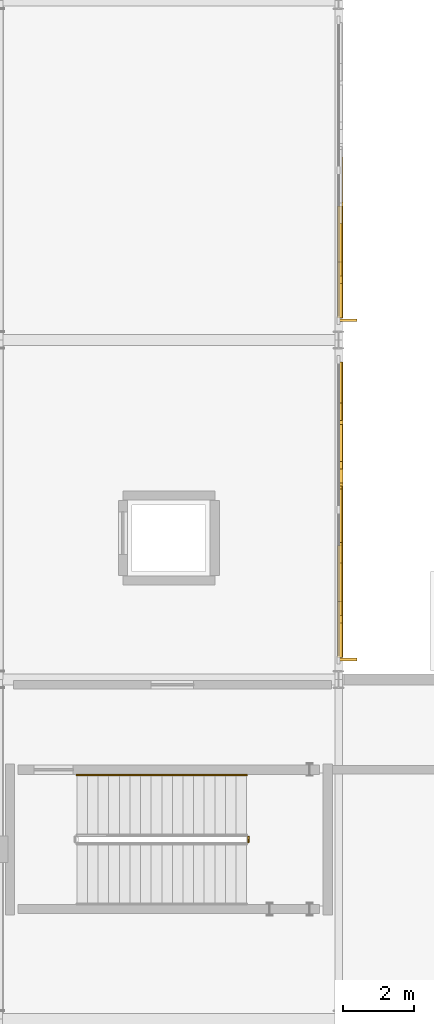
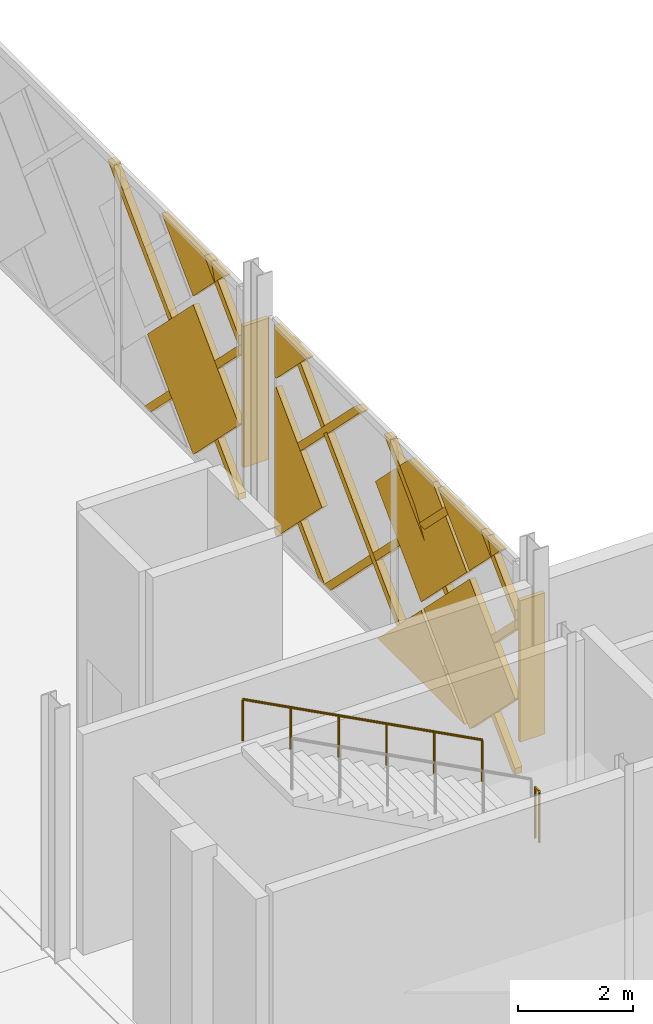
# One storey, part 70 of 84: 18 coverings, 2 railings, 2 shading devices.
"""IFC4 building model written with IfcOpenShell, lengths in metres."""

from ifc_helpers import new_model, si_unit, direction, frame, origin, origin_2d, place, context, subcontext, project, spatial, polyline, rectangle, circle, outline, extrude, material, layer, layer_set, type_object, element, save


model = new_model("IFC4")

# Units and contexts
model_context = context("Model", 3, precision=1e-05, world=origin(), true_north=direction((0.0, 1.0)))
body_context = subcontext(model_context, "Body", "Model", "MODEL_VIEW")
ifc_project = project(units=[si_unit("LENGTHUNIT", "METRE"), si_unit("AREAUNIT", "SQUARE_METRE"), si_unit("VOLUMEUNIT", "CUBIC_METRE"), si_unit("PLANEANGLEUNIT", "RADIAN"), si_unit("MASSUNIT", "GRAM", prefix="KILO")], contexts=[model_context])

# Site, building, storey
site_placement = place(None, origin())
site = spatial("IfcSite", under=ifc_project, at=site_placement, CompositionType="ELEMENT")
building_placement = place(site_placement, origin())
building = spatial("IfcBuilding", under=site, at=building_placement, Name="Zevrakil Square Congress Hotel", CompositionType="ELEMENT")
storey_placement = place(building_placement, origin())
storey = spatial("IfcBuildingStorey", under=building, at=storey_placement, Name="L01", CompositionType="ELEMENT", Elevation=0.0)

# Coverings
ifc_material_1 = material(Name="Architectural White Fibre-C GRC", Category="concrete")
ifc_layer_1 = layer(ifc_material_1, 0.06494140625)
ifc_layer_set_1 = layer_set([ifc_layer_1], Name="Architectural White Fibre-C GRC")
covering_type_1 = type_object("IfcCoveringType", Name="COV-DIA-WHITE", PredefinedType="CLADDING", material=ifc_layer_set_1)
covering_1_placement = place(storey_placement, frame((64.89404296875, 49.47998046875, 1.590087890625), z_axis=(0.999999790873, 0.0, 0.000646725815), x_axis=(0.000457304257, 0.707106707249, -0.707106707249)))
element("IfcCovering", 1, at=covering_1_placement, inside=storey, type_object=covering_type_1, Name="L01 45-degree white GRC diamond facade cassette 1701", PredefinedType="CLADDING", context=body_context, shape_type="SweptSolid", body=[
    extrude(outline(polyline([(0.0, 0.0), (2.1354765131557993, 0.0), (4.465861884739297e-07, -2.1354765131557527), (0.0, 0.0)])), origin(), (0.0, 0.0, -1.0), 0.1201171875),
])
covering_2_placement = place(storey_placement, frame((64.89306640625, 47.800048828125, 3.27001953125), z_axis=(0.999999812555, 0.0, 0.000612281941), x_axis=(0.000432981992, 0.707052423992, -0.70716100165)))
element("IfcCovering", 2, at=covering_2_placement, inside=storey, type_object=covering_type_1, Name="L01 45-degree white GRC diamond facade cassette 1702", PredefinedType="CLADDING", context=body_context, shape_type="SweptSolid", body=[
    extrude(outline(polyline([(0.0, 0.0), (2.248551445484795, 2.220446049250313e-16), (2.2487244898296543, -2.2483787987232713), (0.014329015787474475, -2.248722976182532), (0.0001719840161686914, -2.2345681207382944), (0.0, 0.0)])), origin(), (0.0, 0.0, -1.0), 0.1201171875),
])
covering_3_placement = place(storey_placement, frame((64.89501953125, 54.52001953125, 0.090087890625), z_axis=(0.999999810877, 4.3898e-08, 0.000615017515), x_axis=(-0.000434818663, -0.707161000838, 0.707052423677)))
element("IfcCovering", 3, at=covering_3_placement, inside=storey, type_object=covering_type_1, Name="L01 45-degree white GRC diamond facade cassette 1703", PredefinedType="CLADDING", context=body_context, shape_type="SweptSolid", body=[
    extrude(outline(polyline([(0.0, 0.0), (2.2485514454864757, 0.0), (2.248379222885326, -2.2487240657395344), (2.1634435533466254, -2.2487175608112517), (-0.0001791412122214009, -0.08476302283911175), (0.0, 0.0)])), origin(), (0.0, 0.0, -1.0), 0.1201171875),
])
covering_4_placement = place(storey_placement, frame((64.89306640625, 51.070068359375, 3.360107421875), z_axis=(0.999999855952, 0.0, 0.000536746209), x_axis=(0.000379536904, -0.707106744705, -0.707106715811)))
element("IfcCovering", 4, at=covering_4_placement, inside=storey, type_object=covering_type_1, Name="L01 45-degree white GRC diamond facade cassette 1704", PredefinedType="CLADDING", context=body_context, shape_type="SweptSolid", body=[
    extrude(outline(polyline([(0.0, 0.0), (2.248723976305845, -2.220446049250313e-16), (2.2487237442683643, -2.248723976305833), (0.5729702849818485, -2.2485514136558216), (0.00017238973523170387, -1.675753459304313), (0.0, 0.0)])), origin(), (0.0, 0.0, -1.0), 0.1201171875),
])
covering_5_placement = place(storey_placement, frame((64.892822265625, 47.800048828125, 3.449951171875), z_axis=(0.999999900573, 0.0, 0.000445930836), x_axis=(-0.000315320734, -0.707106746034, 0.707106746034)))
element("IfcCovering", 5, at=covering_5_placement, inside=storey, type_object=covering_type_1, Name="L01 45-degree white GRC diamond facade cassette 1705", PredefinedType="CLADDING", context=body_context, shape_type="SweptSolid", body=[
    extrude(outline(polyline([(0.0, 0.0), (1.548522495743182, 1.1102230246251565e-16), (1.5396520214316922e-07, -1.5485224957431742), (0.0, 0.0)])), origin(), (0.0, 0.0, -1.0), 0.1201171875),
])
covering_6_placement = place(storey_placement, frame((64.892822265625, 54.52001953125, 3.449951171875), z_axis=(0.999999899787, -2.2101104e-05, 0.000447143071), x_axis=(-0.000331805751, -0.707106745765, 0.707106738759)))
element("IfcCovering", 6, at=covering_6_placement, inside=storey, type_object=covering_type_1, Name="L01 45-degree white GRC diamond facade cassette 1706", PredefinedType="CLADDING", context=body_context, shape_type="SweptSolid", body=[
    extrude(outline(polyline([(0.0, 0.0), (1.5485224955327719, -1.1102230246251565e-16), (0.7317934881557022, -0.8167290888028746), (-4.2082005241583786e-10, -0.08493567398217175), (0.0, 0.0)])), origin(), (0.0, 0.0, -1.0), 0.1201171875),
])
covering_7_placement = place(storey_placement, frame((64.89306640625, 57.39990234375, 3.27001953125), z_axis=(0.999999812555, 0.0, 0.000612282237), x_axis=(0.000432948962, 0.707106714509, -0.70710671532)))
element("IfcCovering", 7, at=covering_7_placement, inside=storey, type_object=covering_type_1, Name="L01 45-degree white GRC diamond facade cassette 1770", PredefinedType="CLADDING", context=body_context, shape_type="SweptSolid", body=[
    extrude(outline(polyline([(0.0, 0.0), (2.248724072333011, 0.0), (2.24855186294939, -2.2485514388901082), (0.014329002543342684, -2.2485514361636123), (0.0001730575588998473, -2.23439549384887), (0.0, 0.0)])), origin(), (0.0, 0.0, -1.0), 0.1201171875),
])
covering_8_placement = place(storey_placement, frame((64.892822265625, 57.39990234375, 3.449951171875), z_axis=(0.999999900573, 0.0, 0.000445930836), x_axis=(-0.000315320734, -0.707106746034, 0.707106746034)))
element("IfcCovering", 8, at=covering_8_placement, inside=storey, type_object=covering_type_1, Name="L01 45-degree white GRC diamond facade cassette 1773", PredefinedType="CLADDING", context=body_context, shape_type="SweptSolid", body=[
    extrude(outline(polyline([(0.0, 0.0), (1.548522495743182, 1.1102230246251565e-16), (-0.0001724795177161509, -1.5486951292432571), (0.0, 0.0)])), origin(), (0.0, 0.0, -1.0), 0.1201171875),
])
ifc_material_2 = material(Name="Anodised Champagne Aluminium", Category="aluminium")
ifc_layer_2 = layer(ifc_material_2, 0.0849609375)
ifc_layer_set_2 = layer_set([ifc_layer_2], Name="Anodised Champagne Aluminium")
covering_type_2 = type_object("IfcCoveringType", Name="COV-DIAGRID-45", PredefinedType="MOLDING", material=ifc_layer_set_2)
covering_9_placement = place(storey_placement, frame((64.91796875, 46.219970703125, 3.35400390625), z_axis=(0.999999886071, 0.000337533715, 0.000337533715), x_axis=(-0.000337533696, -1.13929e-07, 0.999999943035)))
element("IfcCovering", 9, at=covering_9_placement, inside=storey, type_object=covering_type_2, Name="L01 45-degree aluminium diagrid rib 1707", PredefinedType="MOLDING", context=body_context, shape_type="SweptSolid", body=[
    extrude(outline(polyline([(0.0, 0.0), (0.21215819103951278, -2.8078904387053947e-24), (1.1909180365900578, -0.9790040976986103), (1.1909180124190826, -1.1911622887381215), (0.0, 0.0)])), origin(), (0.0, 0.0, -1.0), 0.14501953125),
])
covering_10_placement = place(storey_placement, frame((64.919921875, 46.30615234375, 0.080078125), z_axis=(0.999999892841, 0.000180085904, 0.000426482509), x_axis=(0.000180085888, -0.999999983785, 7.6803e-08)))
element("IfcCovering", 10, at=covering_10_placement, inside=storey, type_object=covering_type_2, Name="L01 45-degree aluminium diagrid rib 1708", PredefinedType="MOLDING", context=body_context, shape_type="SweptSolid", body=[
    extrude(outline(polyline([(0.0, 0.0), (0.08618163922752449, 0.0), (0.08618164890296409, -0.12597655104322877), (-4.252685618629233, -4.464844489289502), (-4.464843818313988, -4.464844489289502), (0.0, 0.0)])), origin(), (0.0, 0.0, -1.0), 0.14501953125),
])
covering_11_placement = place(storey_placement, frame((64.919921875, 49.666015625, 0.080078125), z_axis=(0.999999819107, 0.0, 0.000601487205), x_axis=(0.0, -1.0, 0.0)))
element("IfcCovering", 11, at=covering_11_placement, inside=storey, type_object=covering_type_2, Name="L01 45-degree aluminium diagrid rib 1709", PredefinedType="MOLDING", context=body_context, shape_type="SweptSolid", body=[
    extrude(outline(polyline([(0.0, 0.0), (0.212158203125, 0.0), (-4.2529296875, -4.464844557661115), (-4.465087890625, -4.464844557661115), (0.0, 0.0)])), origin(), (0.0, 0.0, -1.0), 0.14501953125),
])
covering_12_placement = place(storey_placement, frame((64.919921875, 53.026123046875, 0.080078125), z_axis=(0.999999913476, 0.000294319207, 0.000293980909), x_axis=(0.000294319195, -0.999999956688, 8.6524e-08)))
element("IfcCovering", 12, at=covering_12_placement, inside=storey, type_object=covering_type_2, Name="L01 45-degree aluminium diagrid rib 1710", PredefinedType="MOLDING", context=body_context, shape_type="SweptSolid", body=[
    extrude(outline(polyline([(0.0, 0.0), (0.21215819393602536, -2.8078904387053947e-24), (-1.553955145429748, -1.7661134920227646), (-1.5539551638076978, -1.553711157451178), (0.0, 0.0)])), origin(), (0.0, 0.0, -1.0), 0.14501953125),
])
covering_13_placement = place(storey_placement, frame((64.918212890625, 46.219970703125, 3.15380859375), z_axis=(0.999999586622, 0.00028696407, 0.000862790586), x_axis=(-0.000862790646, 8.2254e-08, 0.999999627796)))
element("IfcCovering", 13, at=covering_13_placement, inside=storey, type_object=covering_type_2, Name="L01 45-degree aluminium diagrid rib 1711", PredefinedType="MOLDING", context=body_context, shape_type="SweptSolid", body=[
    extrude(outline(polyline([(0.0, 0.0), (0.21240247533526213, 1.3234889800848443e-23), (-3.073730528894704, -3.2861332006295076), (-3.0737305463454954, -3.0739750062399502), (0.0, 0.0)])), origin(), (0.0, 0.0, -1.0), 0.14501953125),
])
covering_14_placement = place(storey_placement, frame((64.917236328125, 48.18896484375, 4.544921875), z_axis=(0.999999819107, 0.0, 0.000601487205), x_axis=(0.0, 1.0, 0.0)))
element("IfcCovering", 14, at=covering_14_placement, inside=storey, type_object=covering_type_2, Name="L01 45-degree aluminium diagrid rib 1712", PredefinedType="MOLDING", context=body_context, shape_type="SweptSolid", body=[
    extrude(outline(polyline([(0.0, 0.0), (0.212158203125, 0.0), (4.67724609375, -4.464844557661115), (4.46484375, -4.464844557661115), (0.0, 0.0)])), origin(), (0.0, 0.0, -1.0), 0.14501953125),
])
covering_15_placement = place(storey_placement, frame((64.917236328125, 51.548828125, 4.544921875), z_axis=(0.999999570964, 0.000262354292, 0.0008883932), x_axis=(-0.000262354189, 0.999999965585, -2.33074e-07)))
element("IfcCovering", 15, at=covering_15_placement, inside=storey, type_object=covering_type_2, Name="L01 45-degree aluminium diagrid rib 1713", PredefinedType="MOLDING", context=body_context, shape_type="SweptSolid", body=[
    extrude(outline(polyline([(0.0, 0.0), (0.2121581958235992, 0.0), (3.0312501043201325, -2.8188480621226986), (3.031250089717331, -3.031006398418422), (0.0, 0.0)])), origin(), (0.0, 0.0, -1.0), 0.14501953125),
])
covering_16_placement = place(storey_placement, frame((64.91796875, 55.820068359375, 3.35400390625), z_axis=(0.999999886045, 0.000337571696, 0.000337571696), x_axis=(-0.000337571676, -1.13955e-07, 0.999999943023)))
element("IfcCovering", 16, at=covering_16_placement, inside=storey, type_object=covering_type_2, Name="L01 45-degree aluminium diagrid rib 1775", PredefinedType="MOLDING", context=body_context, shape_type="SweptSolid", body=[
    extrude(outline(polyline([(0.0, 0.0), (0.21215819103679281, 2.8078904387053947e-24), (1.1909180366053258, -0.9787599571027873), (1.1909180124289107, -1.1909181481395787), (0.0, 0.0)])), origin(), (0.0, 0.0, -1.0), 0.14501953125),
])
covering_17_placement = place(storey_placement, frame((64.919921875, 55.906005859375, 0.080078125), z_axis=(0.999999892865, 0.000180190457, 0.000426380907), x_axis=(0.000180190441, -0.999999983766, 7.683e-08)))
element("IfcCovering", 17, at=covering_17_placement, inside=storey, type_object=covering_type_2, Name="L01 45-degree aluminium diagrid rib 1776", PredefinedType="MOLDING", context=body_context, shape_type="SweptSolid", body=[
    extrude(outline(polyline([(0.0, 0.0), (0.0859374986048648, 0.0), (0.08593750828361532, -0.1259765510486869), (-4.252929759333611, -4.46484448921009), (-4.465087959014371, -4.46484448921009), (0.0, 0.0)])), origin(), (0.0, 0.0, -1.0), 0.14501953125),
])
covering_18_placement = place(storey_placement, frame((64.918212890625, 55.820068359375, 3.15380859375), z_axis=(0.999999586815, 0.000286804656, 0.000862620157), x_axis=(-0.000862620216, 8.2257e-08, 0.999999627943)))
element("IfcCovering", 18, at=covering_18_placement, inside=storey, type_object=covering_type_2, Name="L01 45-degree aluminium diagrid rib 1779", PredefinedType="MOLDING", context=body_context, shape_type="SweptSolid", body=[
    extrude(outline(polyline([(0.0, 0.0), (0.21240247532488296, 0.0), (-3.0737305290449033, -3.2861332004890165), (-3.073730546516453, -3.0737308654747975), (0.0, 0.0)])), origin(), (0.0, 0.0, -1.0), 0.14501953125),
])

# Railings
ifc_material_3 = material(Name="Steel S355", Category="steel")
railing_type_1 = type_object("IfcRailingType", Name="RLG-STAIR-GUARD-1100", PredefinedType="BALUSTRADE", material=ifc_material_3)
railing_1_placement = place(storey_placement, frame((62.25, 41.0, 2.699951171875)))
element("IfcRailing", 19, at=railing_1_placement, inside=storey, type_object=railing_type_1, Name="L01 ST04 stair guard 2", PredefinedType="BALUSTRADE", context=body_context, shape_type="SweptSolid", body=[
    extrude(circle(Radius=0.02392578125, at=origin_2d()), frame((0.0, 0.0, 1.076171875), z_axis=(0.0, 1.0, 0.0), x_axis=(-1.0, 0.0, 0.0)), (0.0, 0.0, 1.0), 0.14990234375),
    extrude(circle(Radius=0.02099609375, at=origin_2d()), origin(), (0.0, 0.0, 1.0), 1.052001953125),
    extrude(circle(Radius=0.02099609375, at=origin_2d()), frame((0.0, 0.14990234375, 0.0)), (0.0, 0.0, 1.0), 1.052001953125),
])
ifc_material_4 = material(Name="Steel S355", Category="steel")
railing_type_2 = type_object("IfcRailingType", Name="RLG-STAIR-HAND-900", PredefinedType="HANDRAIL", material=ifc_material_4)
railing_2_placement = place(storey_placement, frame((62.199951171875, 42.89990234375, 2.85888671875)))
element("IfcRailing", 20, at=railing_2_placement, inside=storey, type_object=railing_type_2, Name="L01 ST04 stair handrail 2", PredefinedType="HANDRAIL", context=body_context, shape_type="SweptSolid", body=[
    extrude(circle(Radius=0.02392578125, at=origin_2d()), frame((0.0, 0.0, 0.8759765625), z_axis=(-0.883802130504, 0.0, 0.467860870469), x_axis=(0.0, -1.0, 0.0)), (0.0, 0.0, 1.0), 5.43115234375),
    extrude(circle(Radius=0.02099609375, at=origin_2d()), origin(), (0.0, 0.0, 1.0), 0.851806640625),
    extrude(circle(Radius=0.02099609375, at=origin_2d()), frame((-0.9599609375, 0.0, 0.50830078125)), (0.0, 0.0, 1.0), 0.851806640625),
    extrude(circle(Radius=0.02099609375, at=origin_2d()), frame((-1.919921875, 0.0, 1.016357421875)), (0.0, 0.0, 1.0), 0.851806640625),
    extrude(circle(Radius=0.02099609375, at=origin_2d()), frame((-2.880126953125, 0.0, 1.524658203125)), (0.0, 0.0, 1.0), 0.851806640625),
    extrude(circle(Radius=0.02099609375, at=origin_2d()), frame((-3.840087890625, 0.0, 2.03271484375)), (0.0, 0.0, 1.0), 0.851806640625),
    extrude(circle(Radius=0.02099609375, at=origin_2d()), frame((-4.800048828125, 0.0, 2.541015625)), (0.0, 0.0, 1.0), 0.851806640625),
])

# Shading devices
ifc_material_5 = material(Name="Aluminium Anodised Bronze", Category="aluminium")
shading_device_type = type_object("IfcShadingDeviceType", Name="SHD-FIN-50", PredefinedType="JALOUSIE", material=ifc_material_5)
for number, where, z_axis, x_axis, name in (
    (21, (65.070068359375, 46.159912109375, 0.8125), (0.0, 0.0, 1.0), (1.0, 0.0, 0.0), "L01 aluminium solar shading fin 88"),
    (22, (65.070068359375, 55.760009765625, 0.8125), (0.0, 0.0, 1.0), (1.0, 0.0, 0.0), "L01 aluminium solar shading fin 94"),
):
    element("IfcShadingDevice", number, at=place(storey_placement, frame(where, z_axis=z_axis, x_axis=x_axis)), inside=storey, type_object=shading_device_type, Name=name, PredefinedType="JALOUSIE", context=body_context, shape_type="SweptSolid", body=[
        extrude(rectangle(XDim=0.5, YDim=0.080078125, at=origin_2d()), origin(), (0.0, 0.0, 1.0), 3.0),
    ])

save(model, "model.ifc")
